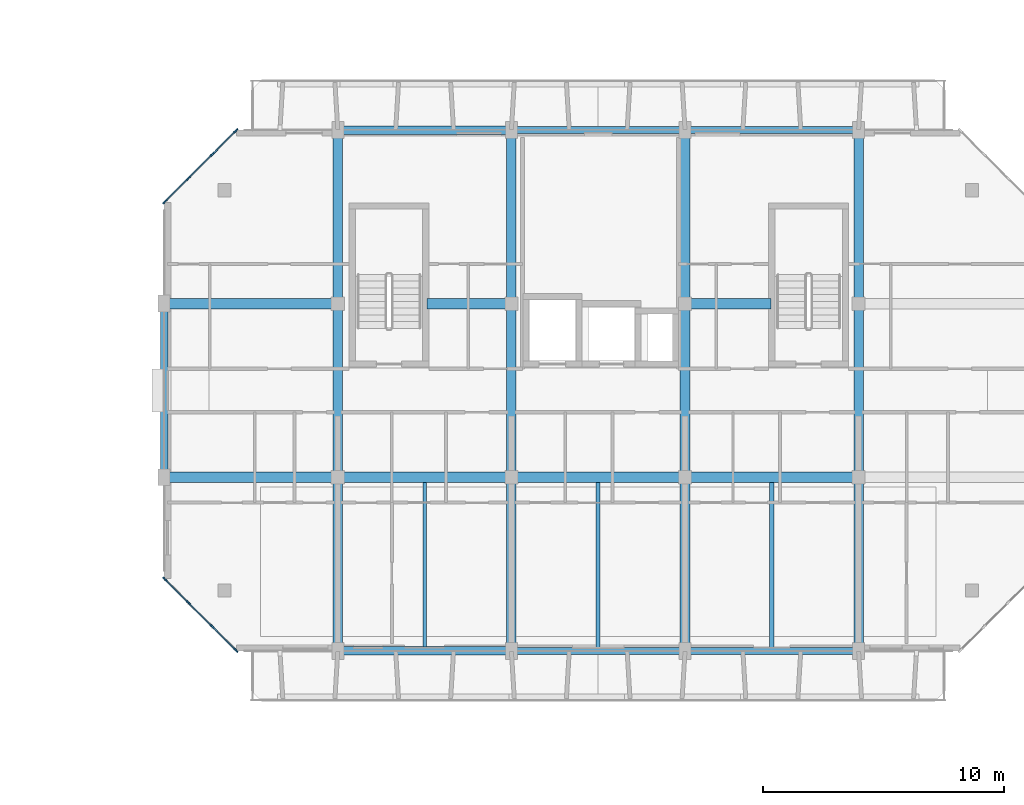
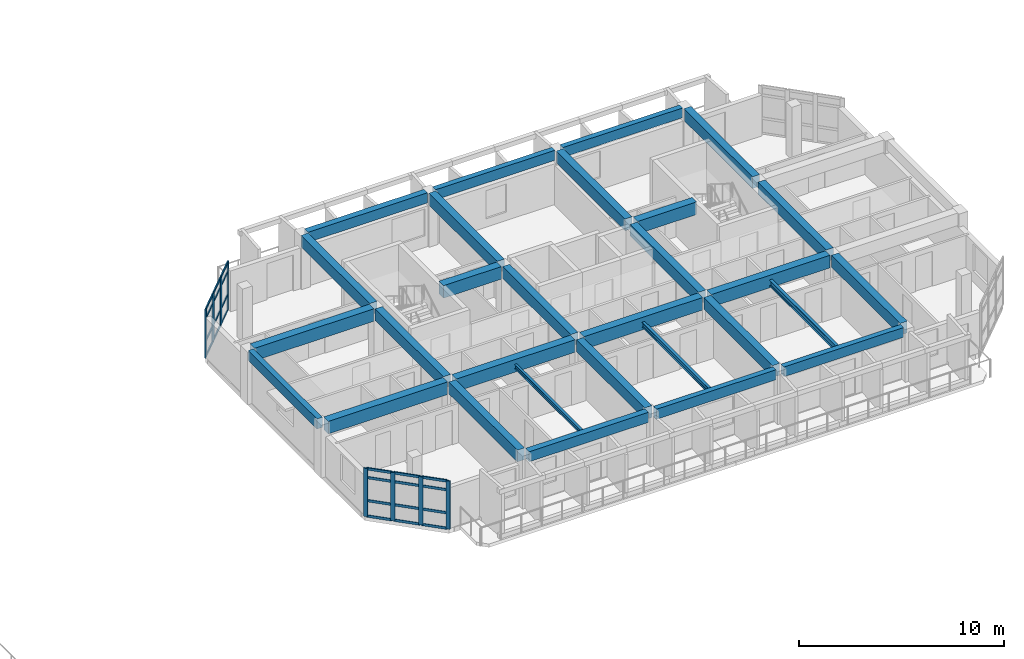
# One storey, part 14 of 64: 32 members, 29 beams, 2 elements without a shape of their own.
"""IFC4 building model written with IfcOpenShell, lengths in metres."""

from ifc_helpers import new_model, si_unit, direction, frame, origin, origin_2d, place, context, subcontext, project, spatial, rectangle, i_section, extrude, material, layer, layer_set, material_profile, profile_set, type_object, element, aggregate, save


model = new_model("IFC4")

# Units and contexts
model_context = context("Model", 3, precision=1e-05, world=origin(), true_north=direction((0.0, 1.0)))
body_context = subcontext(model_context, "Body", "Model", "MODEL_VIEW")
ifc_project = project(units=[si_unit("LENGTHUNIT", "METRE"), si_unit("AREAUNIT", "SQUARE_METRE"), si_unit("VOLUMEUNIT", "CUBIC_METRE"), si_unit("PLANEANGLEUNIT", "RADIAN"), si_unit("MASSUNIT", "GRAM", prefix="KILO")], contexts=[model_context])

# Site, building, storey
site_placement = place(None, origin())
site = spatial("IfcSite", under=ifc_project, at=site_placement, CompositionType="ELEMENT")
building_placement = place(site_placement, origin())
building = spatial("IfcBuilding", under=site, at=building_placement, Name="Ochrevale Crest", CompositionType="ELEMENT")
storey_placement = place(building_placement, frame((0.0, 0.0, 8.699951171875)))
storey = spatial("IfcBuildingStorey", under=building, at=storey_placement, Name="L02", CompositionType="ELEMENT", Elevation=8.699951171875)

# Beams
ifc_material_1 = material(Name="Precast concrete C50/60", Category="concrete")
ifc_material_profile_1 = material_profile(ifc_material_1, rectangle(XDim=0.39990234375, YDim=0.699951171875, at=origin_2d()), Name="PC 400x700")
ifc_profile_set_1 = profile_set([ifc_material_profile_1], Name="Precast concrete C50/60")
beam_type_1 = type_object("IfcBeamType", Name="BM-PC400x700", PredefinedType="BEAM", material=ifc_profile_set_1)
beam_1_placement = place(storey_placement, frame((136.800048828125, 14.6298828125, 2.800048828125), z_axis=(0.0, 1.0, 0.0), x_axis=(-1.0, 0.0, 0.0)))
element("IfcBeam", 1, at=beam_1_placement, inside=storey, type_object=beam_type_1, Name="Block C L02 N-S beam X=136.8", PredefinedType="BEAM", context=body_context, shape_type="SweptSolid", body=[
    extrude(rectangle(XDim=0.39990234375, YDim=0.699951171875, at=origin_2d()), origin(), (0.0, 0.0, 1.0), 6.715087890625),
])
beam_2_placement = place(storey_placement, frame((136.800048828125, 21.85498046875, 2.800048828125), z_axis=(0.0, 1.0, 0.0), x_axis=(-1.0, 0.0, 0.0)))
element("IfcBeam", 2, at=beam_2_placement, inside=storey, type_object=beam_type_1, Name="Block C L02 N-S beam X=136.8", PredefinedType="BEAM", context=body_context, shape_type="SweptSolid", body=[
    extrude(rectangle(XDim=0.39990234375, YDim=0.699951171875, at=origin_2d()), origin(), (0.0, 0.0, 1.0), 6.68994140625),
])
for number, where, z_axis, x_axis, name in (
    (3, (136.800048828125, 29.054931640625, 2.800048828125), (0.0, 1.0, 0.0), (-1.0, 0.0, 0.0), "Block C L02 N-S beam X=136.8"),
    (4, (144.0, 14.6298828125, 2.800048828125), (0.0, 1.0, 0.0), (-1.0, 0.0, 0.0), "Block C L02 N-S beam X=144.0"),
):
    element("IfcBeam", number, at=place(storey_placement, frame(where, z_axis=z_axis, x_axis=x_axis)), inside=storey, type_object=beam_type_1, Name=name, PredefinedType="BEAM", context=body_context, shape_type="SweptSolid", body=[
        extrude(rectangle(XDim=0.39990234375, YDim=0.699951171875, at=origin_2d()), origin(), (0.0, 0.0, 1.0), 6.715087890625),
    ])
beam_3_placement = place(storey_placement, frame((144.0, 21.85498046875, 2.800048828125), z_axis=(0.0, 1.0, 0.0), x_axis=(-1.0, 0.0, 0.0)))
element("IfcBeam", 5, at=beam_3_placement, inside=storey, type_object=beam_type_1, Name="Block C L02 N-S beam X=144.0", PredefinedType="BEAM", context=body_context, shape_type="SweptSolid", body=[
    extrude(rectangle(XDim=0.39990234375, YDim=0.699951171875, at=origin_2d()), origin(), (0.0, 0.0, 1.0), 6.68994140625),
])
for number, where, z_axis, x_axis, name in (
    (6, (144.0, 29.054931640625, 2.800048828125), (0.0, 1.0, 0.0), (-1.0, 0.0, 0.0), "Block C L02 N-S beam X=144.0"),
    (7, (151.199951171875, 14.6298828125, 2.800048828125), (0.0, 1.0, 0.0), (-1.0, 0.0, 0.0), "Block C L02 N-S beam X=151.2"),
):
    element("IfcBeam", number, at=place(storey_placement, frame(where, z_axis=z_axis, x_axis=x_axis)), inside=storey, type_object=beam_type_1, Name=name, PredefinedType="BEAM", context=body_context, shape_type="SweptSolid", body=[
        extrude(rectangle(XDim=0.39990234375, YDim=0.699951171875, at=origin_2d()), origin(), (0.0, 0.0, 1.0), 6.715087890625),
    ])
beam_4_placement = place(storey_placement, frame((151.199951171875, 21.85498046875, 2.800048828125), z_axis=(0.0, 1.0, 0.0), x_axis=(-1.0, 0.0, 0.0)))
element("IfcBeam", 8, at=beam_4_placement, inside=storey, type_object=beam_type_1, Name="Block C L02 N-S beam X=151.2", PredefinedType="BEAM", context=body_context, shape_type="SweptSolid", body=[
    extrude(rectangle(XDim=0.39990234375, YDim=0.699951171875, at=origin_2d()), origin(), (0.0, 0.0, 1.0), 6.68994140625),
])
for number, where, z_axis, x_axis, name in (
    (9, (151.199951171875, 29.054931640625, 2.800048828125), (0.0, 1.0, 0.0), (-1.0, 0.0, 0.0), "Block C L02 N-S beam X=151.2"),
    (10, (158.39990234375, 14.6298828125, 2.800048828125), (0.0, 1.0, 0.0), (-1.0, 0.0, 0.0), "Block C L02 N-S beam X=158.4"),
):
    element("IfcBeam", number, at=place(storey_placement, frame(where, z_axis=z_axis, x_axis=x_axis)), inside=storey, type_object=beam_type_1, Name=name, PredefinedType="BEAM", context=body_context, shape_type="SweptSolid", body=[
        extrude(rectangle(XDim=0.39990234375, YDim=0.699951171875, at=origin_2d()), origin(), (0.0, 0.0, 1.0), 6.715087890625),
    ])
beam_5_placement = place(storey_placement, frame((158.39990234375, 21.85498046875, 2.800048828125), z_axis=(0.0, 1.0, 0.0), x_axis=(-1.0, 0.0, 0.0)))
element("IfcBeam", 11, at=beam_5_placement, inside=storey, type_object=beam_type_1, Name="Block C L02 N-S beam X=158.4", PredefinedType="BEAM", context=body_context, shape_type="SweptSolid", body=[
    extrude(rectangle(XDim=0.39990234375, YDim=0.699951171875, at=origin_2d()), origin(), (0.0, 0.0, 1.0), 6.68994140625),
])
beam_6_placement = place(storey_placement, frame((158.39990234375, 29.054931640625, 2.800048828125), z_axis=(0.0, 1.0, 0.0), x_axis=(-1.0, 0.0, 0.0)))
element("IfcBeam", 12, at=beam_6_placement, inside=storey, type_object=beam_type_1, Name="Block C L02 N-S beam X=158.4", PredefinedType="BEAM", context=body_context, shape_type="SweptSolid", body=[
    extrude(rectangle(XDim=0.39990234375, YDim=0.699951171875, at=origin_2d()), origin(), (0.0, 0.0, 1.0), 6.715087890625),
])
ifc_material_2 = material(Name="Concrete C50/60", Category="concrete")
ifc_material_profile_2 = material_profile(ifc_material_2, rectangle(XDim=0.449951171875, YDim=0.75, at=origin_2d()), Name="RC 450x750")
ifc_profile_set_2 = profile_set([ifc_material_profile_2], Name="Concrete C50/60")
beam_type_2 = type_object("IfcBeamType", Name="BM-PG450x750", PredefinedType="USERDEFINED", material=ifc_profile_set_2)
beam_7_placement = place(storey_placement, frame((129.824951171875, 21.60009765625, 2.775146484375), z_axis=(1.0, 0.0, 0.0), x_axis=(0.0, 1.0, 0.0)))
element("IfcBeam", 13, at=beam_7_placement, inside=storey, type_object=beam_type_2, Name="Block C L02 E-W beam Y=21.6", ObjectType="GIRDER", PredefinedType="USERDEFINED", context=body_context, shape_type="SweptSolid", body=[
    extrude(rectangle(XDim=0.449951171875, YDim=0.75, at=origin_2d()), origin(), (0.0, 0.0, 1.0), 6.72509765625),
])
for number, where, z_axis, x_axis, name in (
    (14, (137.050048828125, 21.60009765625, 2.775146484375), (1.0, 0.0, 0.0), (0.0, 1.0, 0.0), "Block C L02 E-W beam Y=21.6"),
    (15, (144.25, 21.60009765625, 2.775146484375), (1.0, 0.0, 0.0), (0.0, 1.0, 0.0), "Block C L02 E-W beam Y=21.6"),
    (16, (151.449951171875, 21.60009765625, 2.775146484375), (1.0, 0.0, 0.0), (0.0, 1.0, 0.0), "Block C L02 E-W beam Y=21.6"),
):
    element("IfcBeam", number, at=place(storey_placement, frame(where, z_axis=z_axis, x_axis=x_axis)), inside=storey, type_object=beam_type_2, Name=name, ObjectType="GIRDER", PredefinedType="USERDEFINED", context=body_context, shape_type="SweptSolid", body=[
        extrude(rectangle(XDim=0.449951171875, YDim=0.75, at=origin_2d()), origin(), (0.0, 0.0, 1.0), 6.699951171875),
    ])
beam_8_placement = place(storey_placement, frame((129.824951171875, 28.800048828125, 2.775146484375), z_axis=(1.0, 0.0, 0.0), x_axis=(0.0, 1.0, 0.0)))
element("IfcBeam", 17, at=beam_8_placement, inside=storey, type_object=beam_type_2, Name="Block C L02 E-W beam Y=28.8", ObjectType="GIRDER", PredefinedType="USERDEFINED", context=body_context, shape_type="SweptSolid", body=[
    extrude(rectangle(XDim=0.449951171875, YDim=0.75, at=origin_2d()), origin(), (0.0, 0.0, 1.0), 6.72509765625),
])
beam_9_placement = place(storey_placement, frame((140.489990234375, 28.800048828125, 2.775146484375), z_axis=(1.0, 0.0, 0.0), x_axis=(0.0, 1.0, 0.0)))
element("IfcBeam", 18, at=beam_9_placement, inside=storey, type_object=beam_type_2, Name="Block C L02 E-W beam Y=28.8", ObjectType="GIRDER", PredefinedType="USERDEFINED", context=body_context, shape_type="SweptSolid", body=[
    extrude(rectangle(XDim=0.449951171875, YDim=0.75, at=origin_2d()), origin(), (0.0, 0.0, 1.0), 3.260009765625),
])
beam_10_placement = place(storey_placement, frame((151.449951171875, 28.800048828125, 2.775146484375), z_axis=(1.0, 0.0, 0.0), x_axis=(0.0, 1.0, 0.0)))
element("IfcBeam", 19, at=beam_10_placement, inside=storey, type_object=beam_type_2, Name="Block C L02 E-W beam Y=28.8", ObjectType="GIRDER", PredefinedType="USERDEFINED", context=body_context, shape_type="SweptSolid", body=[
    extrude(rectangle(XDim=0.449951171875, YDim=0.75, at=origin_2d()), origin(), (0.0, 0.0, 1.0), 3.31005859375),
])
ifc_material_3 = material(Name="Precast concrete C40/50", Category="concrete")
ifc_material_profile_3 = material_profile(ifc_material_3, rectangle(XDim=0.300048828125, YDim=0.580078125, at=origin_2d()), Name="PC 300x580")
ifc_profile_set_3 = profile_set([ifc_material_profile_3], Name="Precast concrete C40/50")
beam_type_3 = type_object("IfcBeamType", Name="BM-SP300x580", PredefinedType="SPANDREL", material=ifc_profile_set_3)
for number, where, z_axis, x_axis, name in (
    (20, (151.425048828125, 14.39990234375, 2.860107421875), (1.0, 0.0, 0.0), (0.0, 1.0, 0.0), "Block C L02 E-W beam Y=14.4"),
    (21, (151.425048828125, 36.0, 2.860107421875), (1.0, 0.0, 0.0), (0.0, 1.0, 0.0), "Block C L02 E-W beam Y=36.0"),
):
    element("IfcBeam", number, at=place(storey_placement, frame(where, z_axis=z_axis, x_axis=x_axis)), inside=storey, type_object=beam_type_3, Name=name, PredefinedType="SPANDREL", context=body_context, shape_type="SweptSolid", body=[
        extrude(rectangle(XDim=0.300048828125, YDim=0.580078125, at=origin_2d()), origin(), (0.0, 0.0, 1.0), 6.75),
    ])
ifc_material_profile_4 = material_profile(ifc_material_3, rectangle(XDim=0.300048828125, YDim=0.60009765625, at=origin_2d()), Name="PC 300x600")
ifc_profile_set_4 = profile_set([ifc_material_profile_4], Name="Precast concrete C40/50")
beam_type_4 = type_object("IfcBeamType", Name="BM-SP300x600", PredefinedType="SPANDREL", material=ifc_profile_set_4)
for number, where, z_axis, x_axis, name in (
    (22, (144.22509765625, 14.39990234375, 2.85009765625), (1.0, 0.0, 0.0), (0.0, 1.0, 0.0), "Block C L02 E-W beam Y=14.4"),
    (23, (144.22509765625, 36.0, 2.85009765625), (1.0, 0.0, 0.0), (0.0, 1.0, 0.0), "Block C L02 E-W beam Y=36.0"),
):
    element("IfcBeam", number, at=place(storey_placement, frame(where, z_axis=z_axis, x_axis=x_axis)), inside=storey, type_object=beam_type_4, Name=name, PredefinedType="SPANDREL", context=body_context, shape_type="SweptSolid", body=[
        extrude(rectangle(XDim=0.300048828125, YDim=0.60009765625, at=origin_2d()), origin(), (0.0, 0.0, 1.0), 6.75),
    ])
beam_11_placement = place(storey_placement, frame((129.60009765625, 21.830078125, 2.85009765625), z_axis=(0.0, 1.0, 0.0), x_axis=(-1.0, 0.0, 0.0)))
element("IfcBeam", 24, at=beam_11_placement, inside=storey, type_object=beam_type_4, Name="Block C L02 N-S beam X=129.6", PredefinedType="SPANDREL", context=body_context, shape_type="SweptSolid", body=[
    extrude(rectangle(XDim=0.300048828125, YDim=0.60009765625, at=origin_2d()), origin(), (0.0, 0.0, 1.0), 6.739990234375),
])
ifc_material_profile_5 = material_profile(ifc_material_3, rectangle(XDim=0.35009765625, YDim=0.60009765625, at=origin_2d()), Name="PC 350x600")
ifc_profile_set_5 = profile_set([ifc_material_profile_5], Name="Precast concrete C40/50")
beam_type_5 = type_object("IfcBeamType", Name="BM-SP350x600", PredefinedType="SPANDREL", material=ifc_profile_set_5)
for number, where, z_axis, x_axis, name in (
    (25, (137.02490234375, 14.39990234375, 2.85009765625), (1.0, 0.0, 0.0), (0.0, 1.0, 0.0), "Block C L02 E-W beam Y=14.4"),
    (26, (137.02490234375, 36.0, 2.85009765625), (1.0, 0.0, 0.0), (0.0, 1.0, 0.0), "Block C L02 E-W beam Y=36.0"),
):
    element("IfcBeam", number, at=place(storey_placement, frame(where, z_axis=z_axis, x_axis=x_axis)), inside=storey, type_object=beam_type_5, Name=name, PredefinedType="SPANDREL", context=body_context, shape_type="SweptSolid", body=[
        extrude(rectangle(XDim=0.35009765625, YDim=0.60009765625, at=origin_2d()), origin(), (0.0, 0.0, 1.0), 6.75),
    ])
ifc_material_4 = material(Name="Steel S355", Category="steel")
ifc_material_profile_6 = material_profile(ifc_material_4, i_section(OverallWidth=0.146484375, OverallDepth=0.256103515625, WebThickness=0.00634765625, FlangeThickness=0.010986328125, FilletRadius=0.0087890625, at=origin_2d()), Name="250UB37.3")
ifc_profile_set_6 = profile_set([ifc_material_profile_6], Name="Steel S355")
beam_type_6 = type_object("IfcBeamType", Name="BM-UB250B", PredefinedType="JOIST", material=ifc_profile_set_6)
beam_12_placement = place(storey_placement, frame((140.39990234375, 14.56298828125, 2.7470703125), z_axis=(0.0, 1.0, 0.0), x_axis=(-1.0, 0.0, 0.0)))
element("IfcBeam", 27, at=beam_12_placement, inside=storey, type_object=beam_type_6, Name="Block C L02 composite plank trimmer beam 2", PredefinedType="JOIST", context=body_context, shape_type="SweptSolid", body=[
    extrude(i_section(OverallWidth=0.146484375, OverallDepth=0.256103515625, WebThickness=0.00634765625, FlangeThickness=0.010986328125, FilletRadius=0.0087890625, at=origin_2d()), origin(), (0.0, 0.0, 1.0), 6.823974609375),
])
ifc_material_profile_7 = material_profile(ifc_material_4, i_section(OverallWidth=0.1650390625, OverallDepth=0.3037109375, WebThickness=0.006103515625, FlangeThickness=0.01025390625, FilletRadius=0.011474609375, at=origin_2d()), Name="310UB40.4")
ifc_profile_set_7 = profile_set([ifc_material_profile_7], Name="Steel S355")
beam_type_7 = type_object("IfcBeamType", Name="BM-UB310A", PredefinedType="BEAM", material=ifc_profile_set_7)
beam_13_placement = place(storey_placement, frame((147.60009765625, 14.5380859375, 2.72314453125), z_axis=(0.0, 1.0, 0.0), x_axis=(-1.0, 0.0, 0.0)))
element("IfcBeam", 28, at=beam_13_placement, inside=storey, type_object=beam_type_7, Name="Block C L02 composite plank trimmer beam 3", PredefinedType="BEAM", context=body_context, shape_type="SweptSolid", body=[
    extrude(i_section(OverallWidth=0.1650390625, OverallDepth=0.3037109375, WebThickness=0.006103515625, FlangeThickness=0.01025390625, FilletRadius=0.011474609375, at=origin_2d()), origin(), (0.0, 0.0, 1.0), 6.848876953125),
])
ifc_material_profile_8 = material_profile(ifc_material_4, i_section(OverallWidth=0.17138671875, OverallDepth=0.355712890625, WebThickness=0.00732421875, FlangeThickness=0.011474609375, FilletRadius=0.011474609375, at=origin_2d()), Name="360UB50.7")
ifc_profile_set_8 = profile_set([ifc_material_profile_8], Name="Steel S355")
beam_type_8 = type_object("IfcBeamType", Name="BM-UB360A", PredefinedType="BEAM", material=ifc_profile_set_8)
beam_14_placement = place(storey_placement, frame((154.800048828125, 14.5380859375, 2.697265625), z_axis=(0.0, 1.0, 0.0), x_axis=(-1.0, 0.0, 0.0)))
element("IfcBeam", 29, at=beam_14_placement, inside=storey, type_object=beam_type_8, Name="Block C L02 composite plank trimmer beam 4", PredefinedType="BEAM", context=body_context, shape_type="SweptSolid", body=[
    extrude(i_section(OverallWidth=0.17138671875, OverallDepth=0.355712890625, WebThickness=0.00732421875, FlangeThickness=0.011474609375, FilletRadius=0.011474609375, at=origin_2d()), origin(), (0.0, 0.0, 1.0), 6.848876953125),
])

# Curtain wall, members
ifc_material_5 = material(Name="Anodised aluminium 6063-T5", Category="aluminium")
ifc_layer_1 = layer(ifc_material_5, 0.14990234375)
ifc_layer_set_1 = layer_set([ifc_layer_1], Name="Anodised aluminium 6063-T5")
curtain_wall_type_1 = type_object("IfcCurtainWallType", Name="CW-WG-360x285", PredefinedType="NOTDEFINED", material=ifc_layer_set_1)
curtain_wall_1_placement = place(storey_placement, origin())
curtain_wall_1 = element("IfcCurtainWall", 30, at=curtain_wall_1_placement, inside=storey, type_object=curtain_wall_type_1, Name="Block C L02 chamfered corner wintergarden curtain wall 6", PredefinedType="NOTDEFINED")
ifc_material_profile_9 = material_profile(ifc_material_5, rectangle(XDim=0.074951171875, YDim=0.219970703125, at=origin_2d()), Name="ALU 75x220")
ifc_profile_set_9 = profile_set([ifc_material_profile_9], Name="Anodised aluminium 6063-T5")
member_type_1 = type_object("IfcMemberType", Name="CW-MUL-75x220", PredefinedType="MULLION", material=ifc_profile_set_9)
member_1_placement = place(storey_placement, frame((132.573486328125, 35.973388671875, 0.0), z_axis=(0.0, 0.0, 1.0), x_axis=(0.707106781187, -0.707106781187, 0.0)))
member_1 = element("IfcMember", 31, at=member_1_placement, type_object=member_type_1, Name="CW18 mullion 1", PredefinedType="MULLION", context=body_context, shape_type="SweptSolid", body=[
    extrude(rectangle(XDim=0.074951171875, YDim=0.219970703125, at=origin_2d()), origin(), (0.0, 0.0, 1.0), 2.875),
])
member_2_placement = place(storey_placement, frame((131.60009765625, 35.0, 0.0), z_axis=(0.0, 0.0, 1.0), x_axis=(0.707106781187, -0.707106781187, 0.0)))
member_2 = element("IfcMember", 32, at=member_2_placement, type_object=member_type_1, Name="CW18 mullion 2", PredefinedType="MULLION", context=body_context, shape_type="SweptSolid", body=[
    extrude(rectangle(XDim=0.074951171875, YDim=0.219970703125, at=origin_2d()), origin(), (0.0, 0.0, 1.0), 2.875),
])
member_3_placement = place(storey_placement, frame((130.60009765625, 34.0, 0.0), z_axis=(0.0, 0.0, 1.0), x_axis=(0.707106781187, -0.707106781187, 0.0)))
member_3 = element("IfcMember", 33, at=member_3_placement, type_object=member_type_1, Name="CW18 mullion 3", PredefinedType="MULLION", context=body_context, shape_type="SweptSolid", body=[
    extrude(rectangle(XDim=0.074951171875, YDim=0.219970703125, at=origin_2d()), origin(), (0.0, 0.0, 1.0), 2.875),
])
member_4_placement = place(storey_placement, frame((129.62646484375, 33.026611328125, 0.0), z_axis=(0.0, 0.0, 1.0), x_axis=(0.707106781187, -0.707106781187, 0.0)))
member_4 = element("IfcMember", 34, at=member_4_placement, type_object=member_type_1, Name="CW18 mullion 4", PredefinedType="MULLION", context=body_context, shape_type="SweptSolid", body=[
    extrude(rectangle(XDim=0.074951171875, YDim=0.219970703125, at=origin_2d()), origin(), (0.0, 0.0, 1.0), 2.875),
])

ifc_layer_2 = layer(ifc_material_5, 0.14990234375)
ifc_layer_set_2 = layer_set([ifc_layer_2], Name="Anodised aluminium 6063-T5")
curtain_wall_type_2 = type_object("IfcCurtainWallType", Name="CW-WG-240x285", PredefinedType="NOTDEFINED", material=ifc_layer_set_2)
curtain_wall_2_placement = place(storey_placement, origin())
curtain_wall_2 = element("IfcCurtainWall", 35, at=curtain_wall_2_placement, inside=storey, type_object=curtain_wall_type_2, Name="Block C L02 chamfered corner wintergarden curtain wall 8", PredefinedType="NOTDEFINED")
member_5_placement = place(storey_placement, frame((129.62646484375, 17.37353515625, 0.0), z_axis=(0.0, 0.0, 1.0), x_axis=(0.707106781187, 0.707106781187, 0.0)))
member_5 = element("IfcMember", 36, at=member_5_placement, type_object=member_type_1, Name="CW15 mullion 1", PredefinedType="MULLION", context=body_context, shape_type="SweptSolid", body=[
    extrude(rectangle(XDim=0.074951171875, YDim=0.219970703125, at=origin_2d()), origin(), (0.0, 0.0, 1.0), 2.875),
])
member_6_placement = place(storey_placement, frame((130.60009765625, 16.39990234375, 0.0), z_axis=(0.0, 0.0, 1.0), x_axis=(0.707106781187, 0.707106781187, 0.0)))
member_6 = element("IfcMember", 37, at=member_6_placement, type_object=member_type_1, Name="CW15 mullion 2", PredefinedType="MULLION", context=body_context, shape_type="SweptSolid", body=[
    extrude(rectangle(XDim=0.074951171875, YDim=0.219970703125, at=origin_2d()), origin(), (0.0, 0.0, 1.0), 2.875),
])
member_7_placement = place(storey_placement, frame((131.60009765625, 15.39990234375, 0.0), z_axis=(0.0, 0.0, 1.0), x_axis=(0.707106781187, 0.707106781187, 0.0)))
member_7 = element("IfcMember", 38, at=member_7_placement, type_object=member_type_1, Name="CW15 mullion 3", PredefinedType="MULLION", context=body_context, shape_type="SweptSolid", body=[
    extrude(rectangle(XDim=0.074951171875, YDim=0.219970703125, at=origin_2d()), origin(), (0.0, 0.0, 1.0), 2.875),
])
member_8_placement = place(storey_placement, frame((132.573486328125, 14.426513671875, 0.0), z_axis=(0.0, 0.0, 1.0), x_axis=(0.707106781187, 0.707106781187, 0.0)))
member_8 = element("IfcMember", 39, at=member_8_placement, type_object=member_type_1, Name="CW15 mullion 4", PredefinedType="MULLION", context=body_context, shape_type="SweptSolid", body=[
    extrude(rectangle(XDim=0.074951171875, YDim=0.219970703125, at=origin_2d()), origin(), (0.0, 0.0, 1.0), 2.875),
])

# Member
ifc_material_profile_10 = material_profile(ifc_material_5, rectangle(XDim=0.06005859375, YDim=0.14990234375, at=origin_2d()), Name="ALU 60x150")
ifc_profile_set_10 = profile_set([ifc_material_profile_10], Name="Anodised aluminium 6063-T5")
member_type_2 = type_object("IfcMemberType", Name="CW-TRN-60x150", PredefinedType="USERDEFINED", material=ifc_profile_set_10)
member_9_placement = place(storey_placement, frame((132.546875, 35.947021484375, 0.030029296875), z_axis=(-0.707106781187, -0.707106781187, 0.0), x_axis=(0.707106781187, -0.707106781187, 0.0)))
member_9 = element("IfcMember", 40, at=member_9_placement, type_object=member_type_2, Name="CW18 transom 1.1", ObjectType="TRANSOM", PredefinedType="USERDEFINED", context=body_context, shape_type="SweptSolid", body=[
    extrude(rectangle(XDim=0.06005859375, YDim=0.14990234375, at=origin_2d()), origin(), (0.0, 0.0, 1.0), 1.3017578125),
])

member_10_placement = place(storey_placement, frame((132.546875, 35.947021484375, 0.949951171875), z_axis=(-0.707106781187, -0.707106781187, 0.0), x_axis=(0.707106781187, -0.707106781187, 0.0)))
member_10 = element("IfcMember", 41, at=member_10_placement, type_object=member_type_2, Name="CW18 transom 1.2", ObjectType="TRANSOM", PredefinedType="USERDEFINED", context=body_context, shape_type="SweptSolid", body=[
    extrude(rectangle(XDim=0.06005859375, YDim=0.14990234375, at=origin_2d()), origin(), (0.0, 0.0, 1.0), 1.3017578125),
])

member_11_placement = place(storey_placement, frame((132.546875, 35.947021484375, 2.324951171875), z_axis=(-0.707106781187, -0.707106781187, 0.0), x_axis=(0.707106781187, -0.707106781187, 0.0)))
member_11 = element("IfcMember", 42, at=member_11_placement, type_object=member_type_2, Name="CW18 transom 1.3", ObjectType="TRANSOM", PredefinedType="USERDEFINED", context=body_context, shape_type="SweptSolid", body=[
    extrude(rectangle(XDim=0.06005859375, YDim=0.14990234375, at=origin_2d()), origin(), (0.0, 0.0, 1.0), 1.3017578125),
])

member_12_placement = place(storey_placement, frame((132.546875, 35.947021484375, 2.844970703125), z_axis=(-0.707106781187, -0.707106781187, 0.0), x_axis=(0.707106781187, -0.707106781187, 0.0)))
member_12 = element("IfcMember", 43, at=member_12_placement, type_object=member_type_2, Name="CW18 transom 1.4", ObjectType="TRANSOM", PredefinedType="USERDEFINED", context=body_context, shape_type="SweptSolid", body=[
    extrude(rectangle(XDim=0.06005859375, YDim=0.14990234375, at=origin_2d()), origin(), (0.0, 0.0, 1.0), 1.3017578125),
])

member_13_placement = place(storey_placement, frame((131.573486328125, 34.973388671875, 0.030029296875), z_axis=(-0.707197932559, -0.707015618062, 0.0), x_axis=(0.707015618062, -0.707197932559, 0.0)))
member_13 = element("IfcMember", 44, at=member_13_placement, type_object=member_type_2, Name="CW18 transom 2.1", ObjectType="TRANSOM", PredefinedType="USERDEFINED", context=body_context, shape_type="SweptSolid", body=[
    extrude(rectangle(XDim=0.06005859375, YDim=0.14990234375, at=origin_2d()), origin(), (0.0, 0.0, 1.0), 1.339111328125),
])

member_14_placement = place(storey_placement, frame((131.573486328125, 34.973388671875, 0.949951171875), z_axis=(-0.707197932559, -0.707015618062, 0.0), x_axis=(0.707015618062, -0.707197932559, 0.0)))
member_14 = element("IfcMember", 45, at=member_14_placement, type_object=member_type_2, Name="CW18 transom 2.2", ObjectType="TRANSOM", PredefinedType="USERDEFINED", context=body_context, shape_type="SweptSolid", body=[
    extrude(rectangle(XDim=0.06005859375, YDim=0.14990234375, at=origin_2d()), origin(), (0.0, 0.0, 1.0), 1.339111328125),
])

member_15_placement = place(storey_placement, frame((131.573486328125, 34.973388671875, 2.324951171875), z_axis=(-0.707197932559, -0.707015618062, 0.0), x_axis=(0.707015618062, -0.707197932559, 0.0)))
member_15 = element("IfcMember", 46, at=member_15_placement, type_object=member_type_2, Name="CW18 transom 2.3", ObjectType="TRANSOM", PredefinedType="USERDEFINED", context=body_context, shape_type="SweptSolid", body=[
    extrude(rectangle(XDim=0.06005859375, YDim=0.14990234375, at=origin_2d()), origin(), (0.0, 0.0, 1.0), 1.339111328125),
])

member_16_placement = place(storey_placement, frame((131.573486328125, 34.973388671875, 2.844970703125), z_axis=(-0.707197932559, -0.707015618062, 0.0), x_axis=(0.707015618062, -0.707197932559, 0.0)))
member_16 = element("IfcMember", 47, at=member_16_placement, type_object=member_type_2, Name="CW18 transom 2.4", ObjectType="TRANSOM", PredefinedType="USERDEFINED", context=body_context, shape_type="SweptSolid", body=[
    extrude(rectangle(XDim=0.06005859375, YDim=0.14990234375, at=origin_2d()), origin(), (0.0, 0.0, 1.0), 1.339111328125),
])

member_17_placement = place(storey_placement, frame((130.573486328125, 33.973388671875, 0.030029296875), z_axis=(-0.707106781187, -0.707106781187, 0.0), x_axis=(0.707106781187, -0.707106781187, 0.0)))
member_17 = element("IfcMember", 48, at=member_17_placement, type_object=member_type_2, Name="CW18 transom 3.1", ObjectType="TRANSOM", PredefinedType="USERDEFINED", context=body_context, shape_type="SweptSolid", body=[
    extrude(rectangle(XDim=0.06005859375, YDim=0.14990234375, at=origin_2d()), origin(), (0.0, 0.0, 1.0), 1.3017578125),
])

member_18_placement = place(storey_placement, frame((130.573486328125, 33.973388671875, 0.949951171875), z_axis=(-0.707106781187, -0.707106781187, 0.0), x_axis=(0.707106781187, -0.707106781187, 0.0)))
member_18 = element("IfcMember", 49, at=member_18_placement, type_object=member_type_2, Name="CW18 transom 3.2", ObjectType="TRANSOM", PredefinedType="USERDEFINED", context=body_context, shape_type="SweptSolid", body=[
    extrude(rectangle(XDim=0.06005859375, YDim=0.14990234375, at=origin_2d()), origin(), (0.0, 0.0, 1.0), 1.3017578125),
])

member_19_placement = place(storey_placement, frame((130.573486328125, 33.973388671875, 2.324951171875), z_axis=(-0.707106781187, -0.707106781187, 0.0), x_axis=(0.707106781187, -0.707106781187, 0.0)))
member_19 = element("IfcMember", 50, at=member_19_placement, type_object=member_type_2, Name="CW18 transom 3.3", ObjectType="TRANSOM", PredefinedType="USERDEFINED", context=body_context, shape_type="SweptSolid", body=[
    extrude(rectangle(XDim=0.06005859375, YDim=0.14990234375, at=origin_2d()), origin(), (0.0, 0.0, 1.0), 1.3017578125),
])

member_20_placement = place(storey_placement, frame((130.573486328125, 33.973388671875, 2.844970703125), z_axis=(-0.707106781187, -0.707106781187, 0.0), x_axis=(0.707106781187, -0.707106781187, 0.0)))
member_20 = element("IfcMember", 51, at=member_20_placement, type_object=member_type_2, Name="CW18 transom 3.4", ObjectType="TRANSOM", PredefinedType="USERDEFINED", context=body_context, shape_type="SweptSolid", body=[
    extrude(rectangle(XDim=0.06005859375, YDim=0.14990234375, at=origin_2d()), origin(), (0.0, 0.0, 1.0), 1.3017578125),
])

aggregate(curtain_wall_1, [member_1, member_2, member_3, member_4, member_9, member_10, member_11, member_12, member_13, member_14, member_15, member_16, member_17, member_18, member_19, member_20])

member_21_placement = place(storey_placement, frame((129.653076171875, 17.346923828125, 0.030029296875), z_axis=(0.707106781187, -0.707106781187, 0.0), x_axis=(0.707106781187, 0.707106781187, 0.0)))
member_21 = element("IfcMember", 52, at=member_21_placement, type_object=member_type_2, Name="CW15 transom 1.1", ObjectType="TRANSOM", PredefinedType="USERDEFINED", context=body_context, shape_type="SweptSolid", body=[
    extrude(rectangle(XDim=0.06005859375, YDim=0.14990234375, at=origin_2d()), origin(), (0.0, 0.0, 1.0), 1.3017578125),
])

member_22_placement = place(storey_placement, frame((129.653076171875, 17.346923828125, 0.949951171875), z_axis=(0.707106781187, -0.707106781187, 0.0), x_axis=(0.707106781187, 0.707106781187, 0.0)))
member_22 = element("IfcMember", 53, at=member_22_placement, type_object=member_type_2, Name="CW15 transom 1.2", ObjectType="TRANSOM", PredefinedType="USERDEFINED", context=body_context, shape_type="SweptSolid", body=[
    extrude(rectangle(XDim=0.06005859375, YDim=0.14990234375, at=origin_2d()), origin(), (0.0, 0.0, 1.0), 1.3017578125),
])

member_23_placement = place(storey_placement, frame((129.653076171875, 17.346923828125, 2.324951171875), z_axis=(0.707106781187, -0.707106781187, 0.0), x_axis=(0.707106781187, 0.707106781187, 0.0)))
member_23 = element("IfcMember", 54, at=member_23_placement, type_object=member_type_2, Name="CW15 transom 1.3", ObjectType="TRANSOM", PredefinedType="USERDEFINED", context=body_context, shape_type="SweptSolid", body=[
    extrude(rectangle(XDim=0.06005859375, YDim=0.14990234375, at=origin_2d()), origin(), (0.0, 0.0, 1.0), 1.3017578125),
])

member_24_placement = place(storey_placement, frame((129.653076171875, 17.346923828125, 2.844970703125), z_axis=(0.707106781187, -0.707106781187, 0.0), x_axis=(0.707106781187, 0.707106781187, 0.0)))
member_24 = element("IfcMember", 55, at=member_24_placement, type_object=member_type_2, Name="CW15 transom 1.4", ObjectType="TRANSOM", PredefinedType="USERDEFINED", context=body_context, shape_type="SweptSolid", body=[
    extrude(rectangle(XDim=0.06005859375, YDim=0.14990234375, at=origin_2d()), origin(), (0.0, 0.0, 1.0), 1.3017578125),
])

member_25_placement = place(storey_placement, frame((130.62646484375, 16.37353515625, 0.030029296875), z_axis=(0.707106781187, -0.707106781187, 0.0), x_axis=(0.707106781187, 0.707106781187, 0.0)))
member_25 = element("IfcMember", 56, at=member_25_placement, type_object=member_type_2, Name="CW15 transom 2.1", ObjectType="TRANSOM", PredefinedType="USERDEFINED", context=body_context, shape_type="SweptSolid", body=[
    extrude(rectangle(XDim=0.06005859375, YDim=0.14990234375, at=origin_2d()), origin(), (0.0, 0.0, 1.0), 1.33935546875),
])

member_26_placement = place(storey_placement, frame((130.62646484375, 16.37353515625, 0.949951171875), z_axis=(0.707106781187, -0.707106781187, 0.0), x_axis=(0.707106781187, 0.707106781187, 0.0)))
member_26 = element("IfcMember", 57, at=member_26_placement, type_object=member_type_2, Name="CW15 transom 2.2", ObjectType="TRANSOM", PredefinedType="USERDEFINED", context=body_context, shape_type="SweptSolid", body=[
    extrude(rectangle(XDim=0.06005859375, YDim=0.14990234375, at=origin_2d()), origin(), (0.0, 0.0, 1.0), 1.33935546875),
])

member_27_placement = place(storey_placement, frame((130.62646484375, 16.37353515625, 2.324951171875), z_axis=(0.707106781187, -0.707106781187, 0.0), x_axis=(0.707106781187, 0.707106781187, 0.0)))
member_27 = element("IfcMember", 58, at=member_27_placement, type_object=member_type_2, Name="CW15 transom 2.3", ObjectType="TRANSOM", PredefinedType="USERDEFINED", context=body_context, shape_type="SweptSolid", body=[
    extrude(rectangle(XDim=0.06005859375, YDim=0.14990234375, at=origin_2d()), origin(), (0.0, 0.0, 1.0), 1.33935546875),
])

member_28_placement = place(storey_placement, frame((130.62646484375, 16.37353515625, 2.844970703125), z_axis=(0.707106781187, -0.707106781187, 0.0), x_axis=(0.707106781187, 0.707106781187, 0.0)))
member_28 = element("IfcMember", 59, at=member_28_placement, type_object=member_type_2, Name="CW15 transom 2.4", ObjectType="TRANSOM", PredefinedType="USERDEFINED", context=body_context, shape_type="SweptSolid", body=[
    extrude(rectangle(XDim=0.06005859375, YDim=0.14990234375, at=origin_2d()), origin(), (0.0, 0.0, 1.0), 1.33935546875),
])

member_29_placement = place(storey_placement, frame((131.62646484375, 15.37353515625, 0.030029296875), z_axis=(0.707106781187, -0.707106781187, 0.0), x_axis=(0.707106781187, 0.707106781187, 0.0)))
member_29 = element("IfcMember", 60, at=member_29_placement, type_object=member_type_2, Name="CW15 transom 3.1", ObjectType="TRANSOM", PredefinedType="USERDEFINED", context=body_context, shape_type="SweptSolid", body=[
    extrude(rectangle(XDim=0.06005859375, YDim=0.14990234375, at=origin_2d()), origin(), (0.0, 0.0, 1.0), 1.3017578125),
])

member_30_placement = place(storey_placement, frame((131.62646484375, 15.37353515625, 0.949951171875), z_axis=(0.707106781187, -0.707106781187, 0.0), x_axis=(0.707106781187, 0.707106781187, 0.0)))
member_30 = element("IfcMember", 61, at=member_30_placement, type_object=member_type_2, Name="CW15 transom 3.2", ObjectType="TRANSOM", PredefinedType="USERDEFINED", context=body_context, shape_type="SweptSolid", body=[
    extrude(rectangle(XDim=0.06005859375, YDim=0.14990234375, at=origin_2d()), origin(), (0.0, 0.0, 1.0), 1.3017578125),
])

member_31_placement = place(storey_placement, frame((131.62646484375, 15.37353515625, 2.324951171875), z_axis=(0.707106781187, -0.707106781187, 0.0), x_axis=(0.707106781187, 0.707106781187, 0.0)))
member_31 = element("IfcMember", 62, at=member_31_placement, type_object=member_type_2, Name="CW15 transom 3.3", ObjectType="TRANSOM", PredefinedType="USERDEFINED", context=body_context, shape_type="SweptSolid", body=[
    extrude(rectangle(XDim=0.06005859375, YDim=0.14990234375, at=origin_2d()), origin(), (0.0, 0.0, 1.0), 1.3017578125),
])

member_32_placement = place(storey_placement, frame((131.62646484375, 15.37353515625, 2.844970703125), z_axis=(0.707106781187, -0.707106781187, 0.0), x_axis=(0.707106781187, 0.707106781187, 0.0)))
member_32 = element("IfcMember", 63, at=member_32_placement, type_object=member_type_2, Name="CW15 transom 3.4", ObjectType="TRANSOM", PredefinedType="USERDEFINED", context=body_context, shape_type="SweptSolid", body=[
    extrude(rectangle(XDim=0.06005859375, YDim=0.14990234375, at=origin_2d()), origin(), (0.0, 0.0, 1.0), 1.3017578125),
])

aggregate(curtain_wall_2, [member_5, member_6, member_7, member_8, member_21, member_22, member_23, member_24, member_25, member_26, member_27, member_28, member_29, member_30, member_31, member_32])

save(model, "model.ifc")
